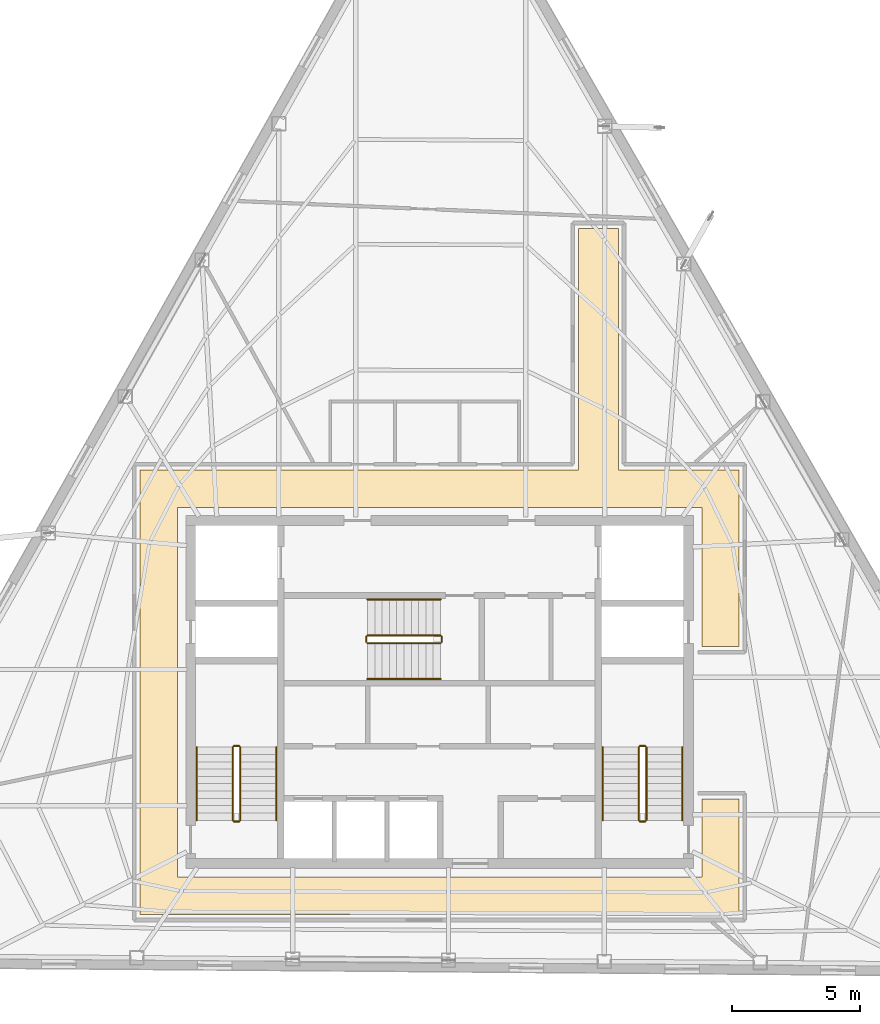
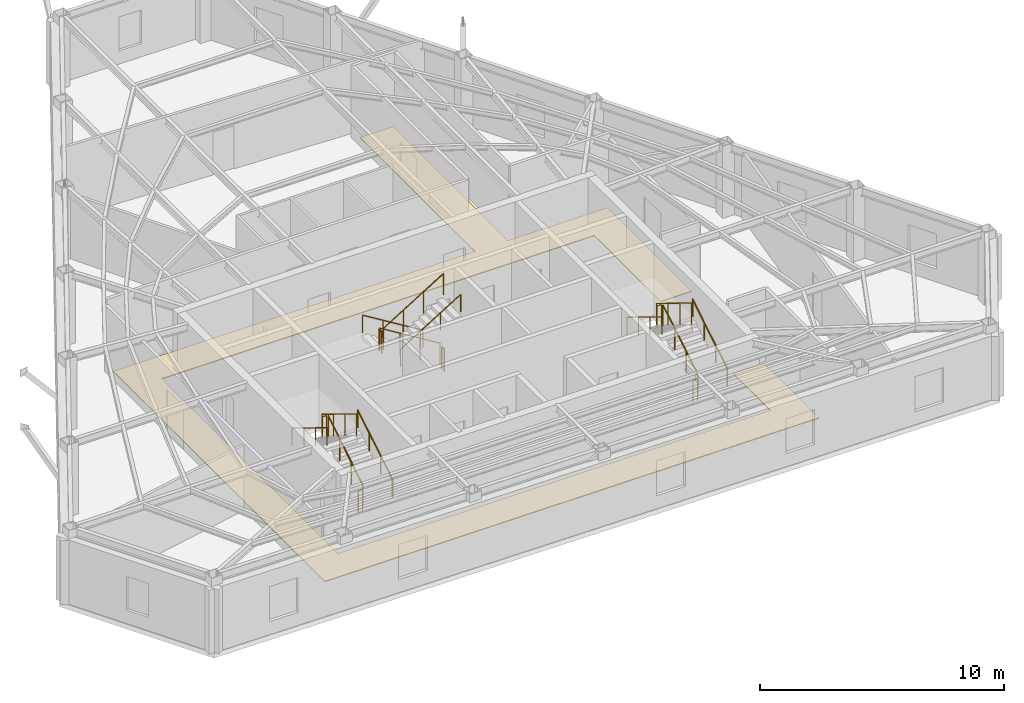
# One storey, part 10 of 10: 18 railings, 1 covering.
"""IFC4 building model written with IfcOpenShell, lengths in metres."""

from ifc_helpers import new_model, si_unit, direction, frame, origin, origin_2d, place, context, subcontext, project, spatial, polyline, circle, outline, extrude, material, layer, layer_set, type_object, element, save


model = new_model("IFC4")

# Units and contexts
model_context = context("Model", 3, precision=1e-05, world=origin(), true_north=direction((0.0, 1.0)))
body_context = subcontext(model_context, "Body", "Model", "MODEL_VIEW")
ifc_project = project(units=[si_unit("LENGTHUNIT", "METRE"), si_unit("AREAUNIT", "SQUARE_METRE"), si_unit("VOLUMEUNIT", "CUBIC_METRE"), si_unit("PLANEANGLEUNIT", "RADIAN"), si_unit("MASSUNIT", "GRAM", prefix="KILO")], contexts=[model_context])

# Site, building, storey
site_placement = place(None, origin())
site = spatial("IfcSite", under=ifc_project, at=site_placement, CompositionType="ELEMENT")
building_placement = place(site_placement, origin())
building = spatial("IfcBuilding", under=site, at=building_placement, Name="Kavelnor Concourse Tower", CompositionType="ELEMENT")
storey_placement = place(building_placement, frame((0.0, 0.0, 243.35009765625)))
storey = spatial("IfcBuildingStorey", under=building, at=storey_placement, Name="L61", CompositionType="ELEMENT", Elevation=243.35009765625)

# Covering
ifc_material_1 = material(Name="Honed bluestone and raised access floor finish", Category="masonry")
ifc_layer = layer(ifc_material_1, 0.0400390625, Name="Honed bluestone and raised access floor finish")
ifc_layer_set = layer_set([ifc_layer], Name="Honed bluestone and raised access floor finish")
covering_type = type_object("IfcCoveringType", Name="COV-FLOOR-STONE", PredefinedType="FLOORING", material=ifc_layer_set)
covering_placement = place(storey_placement, frame((0.0, 0.0, 0.001953125)))
element("IfcCovering", 1, at=covering_placement, inside=storey, type_object=covering_type, Name="L61 Honed Bluestone Floor Finish", PredefinedType="FLOORING", context=body_context, shape_type="SweptSolid", body=[
    extrude(outline(polyline([(44.97998046875, 24.77001953125), (49.68994140625, 24.77001953125), (49.68994140625, 17.8701171875), (48.22998046875, 17.8701171875), (48.22998046875, 23.31005859375), (27.77001953125, 23.31005859375), (27.77001953125, 8.889892578125), (48.22998046875, 8.889892578125), (48.22998046875, 11.929931640625), (49.68994140625, 11.929931640625), (49.68994140625, 7.429931640625), (26.31005859375, 7.429931640625), (26.31005859375, 24.77001953125), (43.419921875, 24.77001953125), (43.419921875, 34.179931640625), (44.97998046875, 34.179931640625), (44.97998046875, 24.77001953125)])), origin(), (0.0, 0.0, 1.0), 0.0400390625),
])

# Railings
ifc_material_2 = material(Name="Steel Grade 350", Category="steel")
railing_type_1 = type_object("IfcRailingType", Name="RLG-GUARD-1100", PredefinedType="GUARDRAIL", material=ifc_material_2)
railing_1_placement = place(storey_placement, frame((30.22998046875, 11.10009765625, 0.1748046875)))
element("IfcRailing", 2, at=railing_1_placement, inside=storey, type_object=railing_type_1, Name="L61 ST1 stair guard 1", PredefinedType="GUARDRAIL", context=body_context, shape_type="SweptSolid", body=[
    extrude(circle(Radius=0.02392578125, at=origin_2d()), frame((0.0, 0.0, 1.076171875), z_axis=(0.0, 0.852159232446, 0.523282564737), x_axis=(-1.0, 0.0, 0.0)), (0.0, 0.0, 1.0), 3.34423828125),
    extrude(circle(Radius=0.02099609375, at=origin_2d()), origin(), (0.0, 0.0, 1.0), 1.052001953125),
    extrude(circle(Radius=0.02099609375, at=origin_2d()), frame((0.0, 0.949951171875, 0.583251953125)), (0.0, 0.0, 1.0), 1.052001953125),
    extrude(circle(Radius=0.02099609375, at=origin_2d()), frame((0.0, 1.89990234375, 1.166748046875)), (0.0, 0.0, 1.0), 1.052001953125),
    extrude(circle(Radius=0.02099609375, at=origin_2d()), frame((0.0, 2.849853515625, 1.75)), (0.0, 0.0, 1.0), 1.052001953125),
])
railing_2_placement = place(storey_placement, frame((30.179931640625, 14.0, 1.9248046875)))
element("IfcRailing", 3, at=railing_2_placement, inside=storey, type_object=railing_type_1, Name="L61 ST1 stair guard 2", PredefinedType="GUARDRAIL", context=body_context, shape_type="SweptSolid", body=[
    extrude(circle(Radius=0.02392578125, at=origin_2d()), frame((0.0, 0.0, 1.076171875), z_axis=(-1.0, 0.0, 0.0), x_axis=(0.0, -1.0, 0.0)), (0.0, 0.0, 1.0), 0.199951171875),
    extrude(circle(Radius=0.02099609375, at=origin_2d()), origin(), (0.0, 0.0, 1.0), 1.052001953125),
    extrude(circle(Radius=0.02099609375, at=origin_2d()), frame((-0.199951171875, 0.0, 0.0)), (0.0, 0.0, 1.0), 1.052001953125),
])
railing_3_placement = place(storey_placement, frame((29.929931640625, 13.949951171875, 2.099853515625)))
element("IfcRailing", 4, at=railing_3_placement, inside=storey, type_object=railing_type_1, Name="L61 ST1 stair guard 3", PredefinedType="GUARDRAIL", context=body_context, shape_type="SweptSolid", body=[
    extrude(circle(Radius=0.02392578125, at=origin_2d()), frame((0.0, 0.0, 1.076171875), z_axis=(0.0, -0.852159232446, 0.523282564737), x_axis=(1.0, 0.0, 0.0)), (0.0, 0.0, 1.0), 3.34423828125),
    extrude(circle(Radius=0.02099609375, at=origin_2d()), origin(), (0.0, 0.0, 1.0), 1.052001953125),
    extrude(circle(Radius=0.02099609375, at=origin_2d()), frame((0.0, -0.949951171875, 0.583251953125)), (0.0, 0.0, 1.0), 1.052001953125),
    extrude(circle(Radius=0.02099609375, at=origin_2d()), frame((0.0, -1.89990234375, 1.166748046875)), (0.0, 0.0, 1.0), 1.052001953125),
    extrude(circle(Radius=0.02099609375, at=origin_2d()), frame((0.0, -2.849853515625, 1.75)), (0.0, 0.0, 1.0), 1.052001953125),
])
railing_4_placement = place(storey_placement, frame((30.179931640625, 11.050048828125, 0.0)))
element("IfcRailing", 5, at=railing_4_placement, inside=storey, type_object=railing_type_1, Name="L61 ST1 stair guard 4", PredefinedType="GUARDRAIL", context=body_context, shape_type="SweptSolid", body=[
    extrude(circle(Radius=0.02392578125, at=origin_2d()), frame((0.0, 0.0, 1.076171875), z_axis=(-1.0, 0.0, 0.0), x_axis=(0.0, -1.0, 0.0)), (0.0, 0.0, 1.0), 0.199951171875),
    extrude(circle(Radius=0.02099609375, at=origin_2d()), origin(), (0.0, 0.0, 1.0), 1.052001953125),
    extrude(circle(Radius=0.02099609375, at=origin_2d()), frame((-0.199951171875, 0.0, 0.0)), (0.0, 0.0, 1.0), 1.052001953125),
])
railing_5_placement = place(storey_placement, frame((46.070068359375, 11.10009765625, 0.1748046875)))
element("IfcRailing", 6, at=railing_5_placement, inside=storey, type_object=railing_type_1, Name="L61 ST2 stair guard 1", PredefinedType="GUARDRAIL", context=body_context, shape_type="SweptSolid", body=[
    extrude(circle(Radius=0.02392578125, at=origin_2d()), frame((0.0, 0.0, 1.076171875), z_axis=(0.0, 0.852159232446, 0.523282564737), x_axis=(-1.0, 0.0, 0.0)), (0.0, 0.0, 1.0), 3.34423828125),
    extrude(circle(Radius=0.02099609375, at=origin_2d()), origin(), (0.0, 0.0, 1.0), 1.052001953125),
    extrude(circle(Radius=0.02099609375, at=origin_2d()), frame((0.0, 0.949951171875, 0.583251953125)), (0.0, 0.0, 1.0), 1.052001953125),
    extrude(circle(Radius=0.02099609375, at=origin_2d()), frame((0.0, 1.89990234375, 1.166748046875)), (0.0, 0.0, 1.0), 1.052001953125),
    extrude(circle(Radius=0.02099609375, at=origin_2d()), frame((0.0, 2.849853515625, 1.75)), (0.0, 0.0, 1.0), 1.052001953125),
])
railing_6_placement = place(storey_placement, frame((46.02001953125, 14.0, 1.9248046875)))
element("IfcRailing", 7, at=railing_6_placement, inside=storey, type_object=railing_type_1, Name="L61 ST2 stair guard 2", PredefinedType="GUARDRAIL", context=body_context, shape_type="SweptSolid", body=[
    extrude(circle(Radius=0.02392578125, at=origin_2d()), frame((0.0, 0.0, 1.076171875), z_axis=(-1.0, 0.0, 0.0), x_axis=(0.0, -1.0, 0.0)), (0.0, 0.0, 1.0), 0.199951171875),
    extrude(circle(Radius=0.02099609375, at=origin_2d()), origin(), (0.0, 0.0, 1.0), 1.052001953125),
    extrude(circle(Radius=0.02099609375, at=origin_2d()), frame((-0.199951171875, 0.0, 0.0)), (0.0, 0.0, 1.0), 1.052001953125),
])
railing_7_placement = place(storey_placement, frame((45.77001953125, 13.949951171875, 2.099853515625)))
element("IfcRailing", 8, at=railing_7_placement, inside=storey, type_object=railing_type_1, Name="L61 ST2 stair guard 3", PredefinedType="GUARDRAIL", context=body_context, shape_type="SweptSolid", body=[
    extrude(circle(Radius=0.02392578125, at=origin_2d()), frame((0.0, 0.0, 1.076171875), z_axis=(0.0, -0.852159232446, 0.523282564737), x_axis=(1.0, 0.0, 0.0)), (0.0, 0.0, 1.0), 3.34423828125),
    extrude(circle(Radius=0.02099609375, at=origin_2d()), origin(), (0.0, 0.0, 1.0), 1.052001953125),
    extrude(circle(Radius=0.02099609375, at=origin_2d()), frame((0.0, -0.949951171875, 0.583251953125)), (0.0, 0.0, 1.0), 1.052001953125),
    extrude(circle(Radius=0.02099609375, at=origin_2d()), frame((0.0, -1.89990234375, 1.166748046875)), (0.0, 0.0, 1.0), 1.052001953125),
    extrude(circle(Radius=0.02099609375, at=origin_2d()), frame((0.0, -2.849853515625, 1.75)), (0.0, 0.0, 1.0), 1.052001953125),
])
railing_8_placement = place(storey_placement, frame((46.02001953125, 11.050048828125, 0.0)))
element("IfcRailing", 9, at=railing_8_placement, inside=storey, type_object=railing_type_1, Name="L61 ST2 stair guard 4", PredefinedType="GUARDRAIL", context=body_context, shape_type="SweptSolid", body=[
    extrude(circle(Radius=0.02392578125, at=origin_2d()), frame((0.0, 0.0, 1.076171875), z_axis=(-1.0, 0.0, 0.0), x_axis=(0.0, -1.0, 0.0)), (0.0, 0.0, 1.0), 0.199951171875),
    extrude(circle(Radius=0.02099609375, at=origin_2d()), origin(), (0.0, 0.0, 1.0), 1.052001953125),
    extrude(circle(Radius=0.02099609375, at=origin_2d()), frame((-0.199951171875, 0.0, 0.0)), (0.0, 0.0, 1.0), 1.052001953125),
])
railing_9_placement = place(storey_placement, frame((38.0400390625, 18.31005859375, 0.1748046875)))
element("IfcRailing", 10, at=railing_9_placement, inside=storey, type_object=railing_type_1, Name="L61 ST3 stair guard 1", PredefinedType="GUARDRAIL", context=body_context, shape_type="SweptSolid", body=[
    extrude(circle(Radius=0.02392578125, at=origin_2d()), frame((0.0, 0.0, 1.076171875), z_axis=(-0.852179220489, 0.0, 0.52325001306), x_axis=(0.0, -1.0, 0.0)), (0.0, 0.0, 1.0), 3.344482421875),
    extrude(circle(Radius=0.02099609375, at=origin_2d()), origin(), (0.0, 0.0, 1.0), 1.052001953125),
    extrude(circle(Radius=0.02099609375, at=origin_2d()), frame((-0.949951171875, 0.0, 0.583251953125)), (0.0, 0.0, 1.0), 1.052001953125),
    extrude(circle(Radius=0.02099609375, at=origin_2d()), frame((-1.900146484375, 0.0, 1.166748046875)), (0.0, 0.0, 1.0), 1.052001953125),
    extrude(circle(Radius=0.02099609375, at=origin_2d()), frame((-2.85009765625, 0.0, 1.75)), (0.0, 0.0, 1.0), 1.052001953125),
])
railing_10_placement = place(storey_placement, frame((35.139892578125, 18.260009765625, 1.9248046875)))
element("IfcRailing", 11, at=railing_10_placement, inside=storey, type_object=railing_type_1, Name="L61 ST3 stair guard 2", PredefinedType="GUARDRAIL", context=body_context, shape_type="SweptSolid", body=[
    extrude(circle(Radius=0.02392578125, at=origin_2d()), frame((0.0, 0.0, 1.076171875), z_axis=(0.0, -1.0, 0.0), x_axis=(1.0, 0.0, 0.0)), (0.0, 0.0, 1.0), 0.199951171875),
    extrude(circle(Radius=0.02099609375, at=origin_2d()), origin(), (0.0, 0.0, 1.0), 1.052001953125),
    extrude(circle(Radius=0.02099609375, at=origin_2d()), frame((0.0, -0.199951171875, 0.0)), (0.0, 0.0, 1.0), 1.052001953125),
])
railing_11_placement = place(storey_placement, frame((35.18994140625, 18.010009765625, 2.099853515625)))
element("IfcRailing", 12, at=railing_11_placement, inside=storey, type_object=railing_type_1, Name="L61 ST3 stair guard 3", PredefinedType="GUARDRAIL", context=body_context, shape_type="SweptSolid", body=[
    extrude(circle(Radius=0.02392578125, at=origin_2d()), frame((0.0, 0.0, 1.076171875), z_axis=(0.852179220489, 0.0, 0.52325001306), x_axis=(0.0, 1.0, 0.0)), (0.0, 0.0, 1.0), 3.344482421875),
    extrude(circle(Radius=0.02099609375, at=origin_2d()), origin(), (0.0, 0.0, 1.0), 1.052001953125),
    extrude(circle(Radius=0.02099609375, at=origin_2d()), frame((0.949951171875, 0.0, 0.583251953125)), (0.0, 0.0, 1.0), 1.052001953125),
    extrude(circle(Radius=0.02099609375, at=origin_2d()), frame((1.900146484375, 0.0, 1.166748046875)), (0.0, 0.0, 1.0), 1.052001953125),
    extrude(circle(Radius=0.02099609375, at=origin_2d()), frame((2.85009765625, 0.0, 1.75)), (0.0, 0.0, 1.0), 1.052001953125),
])
railing_12_placement = place(storey_placement, frame((38.090087890625, 18.260009765625, 0.0)))
element("IfcRailing", 13, at=railing_12_placement, inside=storey, type_object=railing_type_1, Name="L61 ST3 stair guard 4", PredefinedType="GUARDRAIL", context=body_context, shape_type="SweptSolid", body=[
    extrude(circle(Radius=0.02392578125, at=origin_2d()), frame((0.0, 0.0, 1.076171875), z_axis=(0.0, -1.0, 0.0), x_axis=(1.0, 0.0, 0.0)), (0.0, 0.0, 1.0), 0.199951171875),
    extrude(circle(Radius=0.02099609375, at=origin_2d()), origin(), (0.0, 0.0, 1.0), 1.052001953125),
    extrude(circle(Radius=0.02099609375, at=origin_2d()), frame((0.0, -0.199951171875, 0.0)), (0.0, 0.0, 1.0), 1.052001953125),
])
railing_type_2 = type_object("IfcRailingType", Name="RLG-HANDRAIL-900", PredefinedType="HANDRAIL", material=ifc_material_2)
railing_13_placement = place(storey_placement, frame((31.6298828125, 11.10009765625, 0.1748046875)))
element("IfcRailing", 14, at=railing_13_placement, inside=storey, type_object=railing_type_2, Name="L61 ST1 stair handrail 1", PredefinedType="HANDRAIL", context=body_context, shape_type="SweptSolid", body=[
    extrude(circle(Radius=0.02392578125, at=origin_2d()), frame((0.0, 0.0, 0.8759765625), z_axis=(0.0, 0.852159232446, 0.523282564737), x_axis=(-1.0, 0.0, 0.0)), (0.0, 0.0, 1.0), 3.34423828125),
    extrude(circle(Radius=0.02099609375, at=origin_2d()), origin(), (0.0, 0.0, 1.0), 0.851806640625),
    extrude(circle(Radius=0.02099609375, at=origin_2d()), frame((0.0, 0.949951171875, 0.583251953125)), (0.0, 0.0, 1.0), 0.851806640625),
    extrude(circle(Radius=0.02099609375, at=origin_2d()), frame((0.0, 1.89990234375, 1.166748046875)), (0.0, 0.0, 1.0), 0.851806640625),
    extrude(circle(Radius=0.02099609375, at=origin_2d()), frame((0.0, 2.849853515625, 1.75)), (0.0, 0.0, 1.0), 0.851806640625),
])
railing_14_placement = place(storey_placement, frame((28.530029296875, 13.949951171875, 2.099853515625)))
element("IfcRailing", 15, at=railing_14_placement, inside=storey, type_object=railing_type_2, Name="L61 ST1 stair handrail 2", PredefinedType="HANDRAIL", context=body_context, shape_type="SweptSolid", body=[
    extrude(circle(Radius=0.02392578125, at=origin_2d()), frame((0.0, 0.0, 0.8759765625), z_axis=(0.0, -0.852159232446, 0.523282564737), x_axis=(1.0, 0.0, 0.0)), (0.0, 0.0, 1.0), 3.34423828125),
    extrude(circle(Radius=0.02099609375, at=origin_2d()), origin(), (0.0, 0.0, 1.0), 0.851806640625),
    extrude(circle(Radius=0.02099609375, at=origin_2d()), frame((0.0, -0.949951171875, 0.583251953125)), (0.0, 0.0, 1.0), 0.851806640625),
    extrude(circle(Radius=0.02099609375, at=origin_2d()), frame((0.0, -1.89990234375, 1.166748046875)), (0.0, 0.0, 1.0), 0.851806640625),
    extrude(circle(Radius=0.02099609375, at=origin_2d()), frame((0.0, -2.849853515625, 1.75)), (0.0, 0.0, 1.0), 0.851806640625),
])
railing_15_placement = place(storey_placement, frame((47.469970703125, 11.10009765625, 0.1748046875)))
element("IfcRailing", 16, at=railing_15_placement, inside=storey, type_object=railing_type_2, Name="L61 ST2 stair handrail 1", PredefinedType="HANDRAIL", context=body_context, shape_type="SweptSolid", body=[
    extrude(circle(Radius=0.02392578125, at=origin_2d()), frame((0.0, 0.0, 0.8759765625), z_axis=(0.0, 0.852159232446, 0.523282564737), x_axis=(-1.0, 0.0, 0.0)), (0.0, 0.0, 1.0), 3.34423828125),
    extrude(circle(Radius=0.02099609375, at=origin_2d()), origin(), (0.0, 0.0, 1.0), 0.851806640625),
    extrude(circle(Radius=0.02099609375, at=origin_2d()), frame((0.0, 0.949951171875, 0.583251953125)), (0.0, 0.0, 1.0), 0.851806640625),
    extrude(circle(Radius=0.02099609375, at=origin_2d()), frame((0.0, 1.89990234375, 1.166748046875)), (0.0, 0.0, 1.0), 0.851806640625),
    extrude(circle(Radius=0.02099609375, at=origin_2d()), frame((0.0, 2.849853515625, 1.75)), (0.0, 0.0, 1.0), 0.851806640625),
])
railing_16_placement = place(storey_placement, frame((44.3701171875, 13.949951171875, 2.099853515625)))
element("IfcRailing", 17, at=railing_16_placement, inside=storey, type_object=railing_type_2, Name="L61 ST2 stair handrail 2", PredefinedType="HANDRAIL", context=body_context, shape_type="SweptSolid", body=[
    extrude(circle(Radius=0.02392578125, at=origin_2d()), frame((0.0, 0.0, 0.8759765625), z_axis=(0.0, -0.852159232446, 0.523282564737), x_axis=(1.0, 0.0, 0.0)), (0.0, 0.0, 1.0), 3.34423828125),
    extrude(circle(Radius=0.02099609375, at=origin_2d()), origin(), (0.0, 0.0, 1.0), 0.851806640625),
    extrude(circle(Radius=0.02099609375, at=origin_2d()), frame((0.0, -0.949951171875, 0.583251953125)), (0.0, 0.0, 1.0), 0.851806640625),
    extrude(circle(Radius=0.02099609375, at=origin_2d()), frame((0.0, -1.89990234375, 1.166748046875)), (0.0, 0.0, 1.0), 0.851806640625),
    extrude(circle(Radius=0.02099609375, at=origin_2d()), frame((0.0, -2.849853515625, 1.75)), (0.0, 0.0, 1.0), 0.851806640625),
])
railing_17_placement = place(storey_placement, frame((38.0400390625, 19.7099609375, 0.1748046875)))
element("IfcRailing", 18, at=railing_17_placement, inside=storey, type_object=railing_type_2, Name="L61 ST3 stair handrail 1", PredefinedType="HANDRAIL", context=body_context, shape_type="SweptSolid", body=[
    extrude(circle(Radius=0.02392578125, at=origin_2d()), frame((0.0, 0.0, 0.8759765625), z_axis=(-0.852179220489, 0.0, 0.52325001306), x_axis=(0.0, -1.0, 0.0)), (0.0, 0.0, 1.0), 3.344482421875),
    extrude(circle(Radius=0.02099609375, at=origin_2d()), origin(), (0.0, 0.0, 1.0), 0.851806640625),
    extrude(circle(Radius=0.02099609375, at=origin_2d()), frame((-0.949951171875, 0.0, 0.583251953125)), (0.0, 0.0, 1.0), 0.851806640625),
    extrude(circle(Radius=0.02099609375, at=origin_2d()), frame((-1.900146484375, 0.0, 1.166748046875)), (0.0, 0.0, 1.0), 0.851806640625),
    extrude(circle(Radius=0.02099609375, at=origin_2d()), frame((-2.85009765625, 0.0, 1.75)), (0.0, 0.0, 1.0), 0.851806640625),
])
railing_18_placement = place(storey_placement, frame((35.18994140625, 16.610107421875, 2.099853515625)))
element("IfcRailing", 19, at=railing_18_placement, inside=storey, type_object=railing_type_2, Name="L61 ST3 stair handrail 2", PredefinedType="HANDRAIL", context=body_context, shape_type="SweptSolid", body=[
    extrude(circle(Radius=0.02392578125, at=origin_2d()), frame((0.0, 0.0, 0.8759765625), z_axis=(0.852179220489, 0.0, 0.52325001306), x_axis=(0.0, 1.0, 0.0)), (0.0, 0.0, 1.0), 3.344482421875),
    extrude(circle(Radius=0.02099609375, at=origin_2d()), origin(), (0.0, 0.0, 1.0), 0.851806640625),
    extrude(circle(Radius=0.02099609375, at=origin_2d()), frame((0.949951171875, 0.0, 0.583251953125)), (0.0, 0.0, 1.0), 0.851806640625),
    extrude(circle(Radius=0.02099609375, at=origin_2d()), frame((1.900146484375, 0.0, 1.166748046875)), (0.0, 0.0, 1.0), 0.851806640625),
    extrude(circle(Radius=0.02099609375, at=origin_2d()), frame((2.85009765625, 0.0, 1.75)), (0.0, 0.0, 1.0), 0.851806640625),
])

save(model, "model.ifc")
